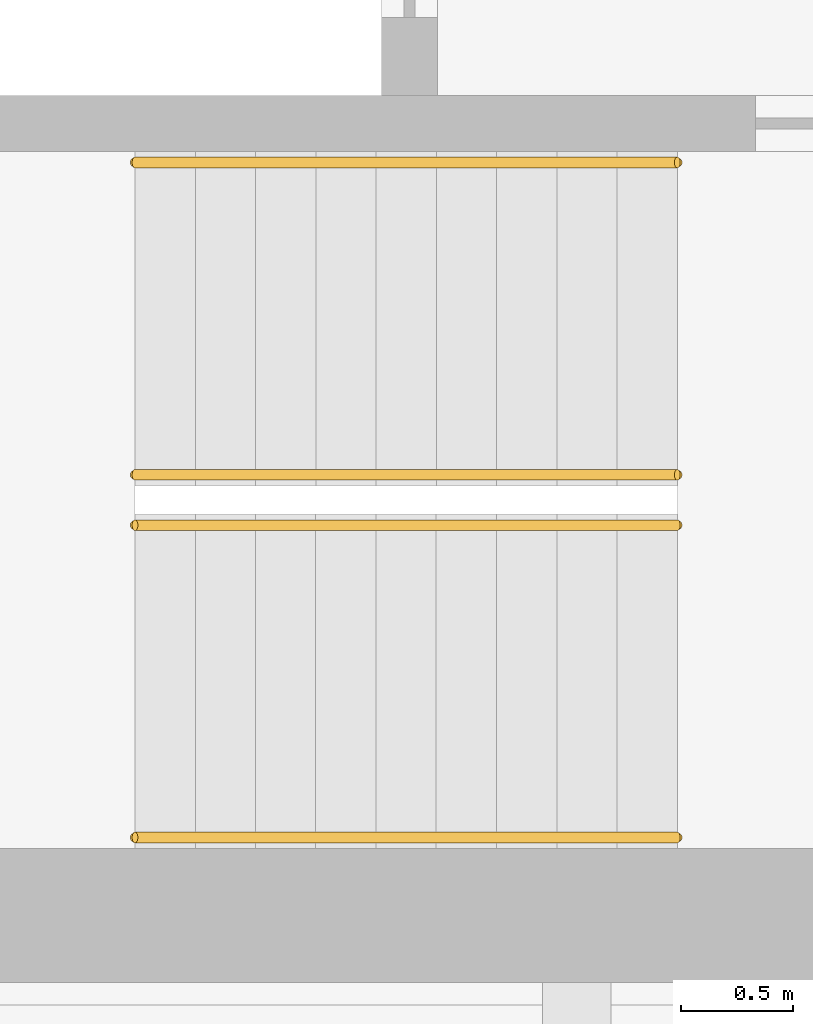
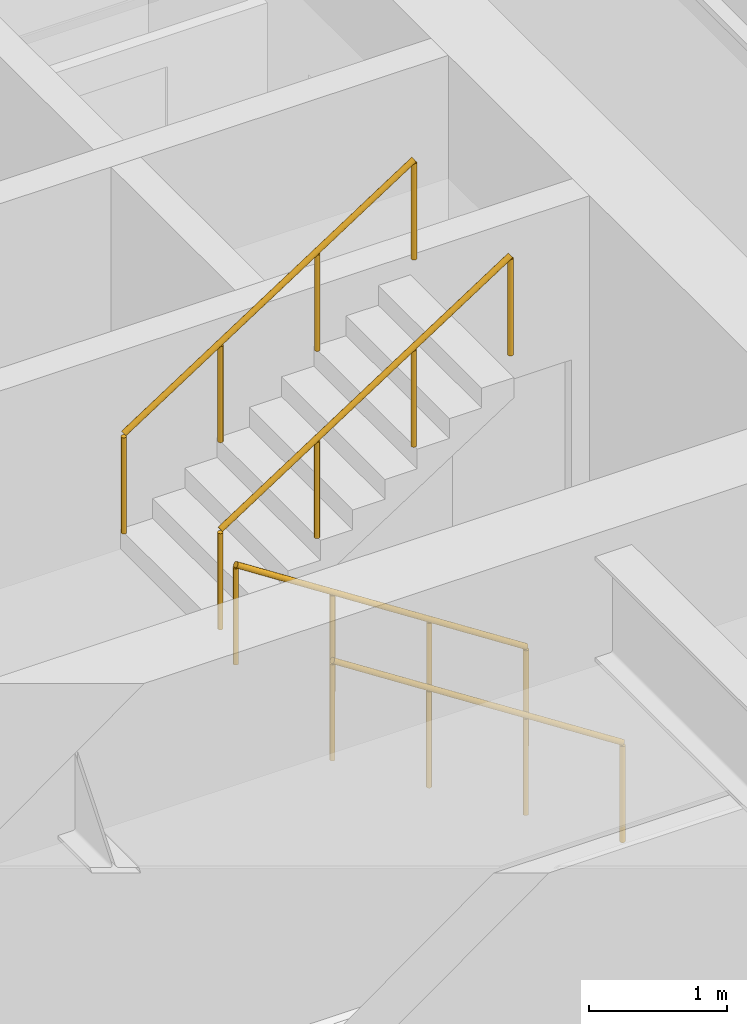
# One storey, part 17 of 21: 4 railings.
"""IFC4 building model written with IfcOpenShell, lengths in metres."""

from ifc_helpers import new_model, si_unit, direction, frame, origin, origin_2d, place, context, subcontext, project, spatial, circle, extrude, material, type_object, element, save


model = new_model("IFC4")

# Units and contexts
model_context = context("Model", 3, precision=1e-05, world=origin(), true_north=direction((0.0, 1.0)))
body_context = subcontext(model_context, "Body", "Model", "MODEL_VIEW")
ifc_project = project(units=[si_unit("LENGTHUNIT", "METRE"), si_unit("AREAUNIT", "SQUARE_METRE"), si_unit("VOLUMEUNIT", "CUBIC_METRE"), si_unit("PLANEANGLEUNIT", "RADIAN"), si_unit("MASSUNIT", "GRAM", prefix="KILO")], contexts=[model_context])

# Site, building, storey
site_placement = place(None, origin())
site = spatial("IfcSite", under=ifc_project, at=site_placement, CompositionType="ELEMENT")
building_placement = place(site_placement, origin())
building = spatial("IfcBuilding", under=site, at=building_placement, Name="Msasa Ring Tower", CompositionType="ELEMENT")
storey_placement = place(building_placement, frame((0.0, 0.0, 89.5)))
storey = spatial("IfcBuildingStorey", under=building, at=storey_placement, Name="L23", CompositionType="ELEMENT", Elevation=89.5)

# Railings
ifc_material = material(Name="Stainless steel", Category="steel")
railing_type = type_object("IfcRailingType", Name="HR1 HANDRAIL 900", PredefinedType="HANDRAIL", material=ifc_material)
for number, where, name in (
    (1, (-10.800048828125, -6.39990234375, 0.175048828125), "Handrail stair SWA L23 1"),
    (2, (-10.800048828125, -5.0, 0.175048828125), "Handrail stair SWA L23 2"),
):
    element("IfcRailing", number, at=place(storey_placement, frame(where)), inside=storey, type_object=railing_type, Name=name, PredefinedType="HANDRAIL", context=body_context, shape_type="SweptSolid", body=[
        extrude(circle(Radius=0.02392578125, at=origin_2d()), frame((0.0, 0.0, 0.8759765625), z_axis=(-0.839153699163, 0.0, 0.543894354798), x_axis=(0.0, -1.0, 0.0)), (0.0, 0.0, 1.0), 2.895751953125),
        extrude(circle(Radius=0.02099609375, at=origin_2d()), origin(), (0.0, 0.0, 1.0), 0.851806640625),
        extrude(circle(Radius=0.02099609375, at=origin_2d()), frame((-0.81005859375, 0.0, 0.52490234375)), (0.0, 0.0, 1.0), 0.851806640625),
        extrude(circle(Radius=0.02099609375, at=origin_2d()), frame((-1.619873046875, 0.0, 1.050048828125)), (0.0, 0.0, 1.0), 0.851806640625),
        extrude(circle(Radius=0.02099609375, at=origin_2d()), frame((-2.429931640625, 0.0, 1.574951171875)), (0.0, 0.0, 1.0), 0.851806640625),
    ])
for number, where, name in (
    (3, (-13.22998046875, -4.77490234375, 1.925048828125), "Handrail stair SWA L23 3"),
    (4, (-13.22998046875, -3.375, 1.925048828125), "Handrail stair SWA L23 4"),
):
    element("IfcRailing", number, at=place(storey_placement, frame(where)), inside=storey, type_object=railing_type, Name=name, PredefinedType="HANDRAIL", context=body_context, shape_type="SweptSolid", body=[
        extrude(circle(Radius=0.02392578125, at=origin_2d()), frame((0.0, 0.0, 0.8759765625), z_axis=(0.839153699163, 0.0, 0.543894354798), x_axis=(0.0, 1.0, 0.0)), (0.0, 0.0, 1.0), 2.895751953125),
        extrude(circle(Radius=0.02099609375, at=origin_2d()), origin(), (0.0, 0.0, 1.0), 0.851806640625),
        extrude(circle(Radius=0.02099609375, at=origin_2d()), frame((0.81005859375, 0.0, 0.52490234375)), (0.0, 0.0, 1.0), 0.851806640625),
        extrude(circle(Radius=0.02099609375, at=origin_2d()), frame((1.619873046875, 0.0, 1.050048828125)), (0.0, 0.0, 1.0), 0.851806640625),
        extrude(circle(Radius=0.02099609375, at=origin_2d()), frame((2.429931640625, 0.0, 1.574951171875)), (0.0, 0.0, 1.0), 0.851806640625),
    ])

save(model, "model.ifc")
